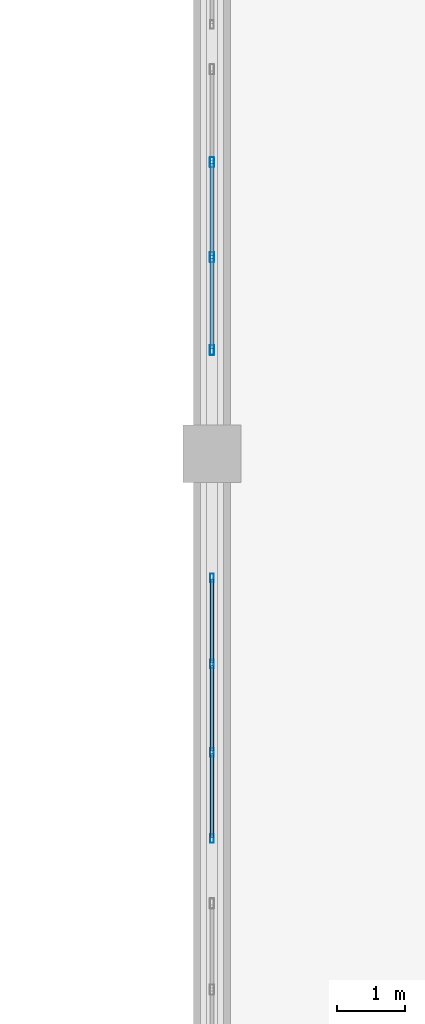
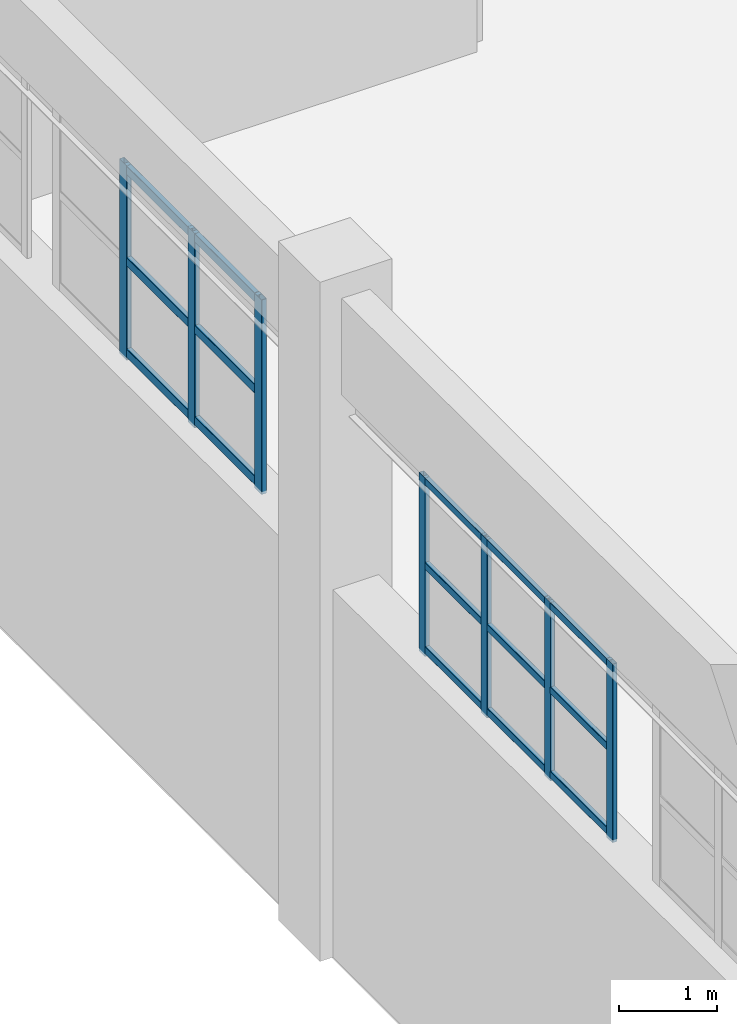
# One storey, part 36 of 97: 22 members, 2 elements without a shape of their own.
"""IFC4 building model written with IfcOpenShell, lengths in metres."""

from ifc_helpers import new_model, si_unit, derived_unit, direction, frame, origin, origin_2d, place, context, subcontext, project, spatial, hollow_rectangle, extrude, material, layer, layer_set, material_profile, profile_set, type_object, element, aggregate, save


model = new_model("IFC4")

# Units and contexts
model_context = context("Model", 3, precision=1e-05, world=origin(), true_north=direction((0.0, 1.0)))
body_context = subcontext(model_context, "Body", "Model", "MODEL_VIEW")
ifc_project = project(units=[si_unit("LENGTHUNIT", "METRE"), si_unit("AREAUNIT", "SQUARE_METRE"), si_unit("VOLUMEUNIT", "CUBIC_METRE"), si_unit("PLANEANGLEUNIT", "RADIAN"), si_unit("MASSUNIT", "GRAM", prefix="KILO"), derived_unit("THERMALTRANSMITTANCEUNIT", [(si_unit("POWERUNIT", "WATT"), 1), (si_unit("LENGTHUNIT", "METRE"), -2), (si_unit("THERMODYNAMICTEMPERATUREUNIT", "KELVIN"), -1)])], contexts=[model_context])

# Site, building, storey
site_placement = place(None, origin())
site = spatial("IfcSite", under=ifc_project, at=site_placement, CompositionType="ELEMENT")
building_placement = place(site_placement, origin())
building = spatial("IfcBuilding", under=site, at=building_placement, Name="Almenara Railside Exhibition Hall", CompositionType="ELEMENT")
storey_placement = place(building_placement, frame((0.0, 0.0, 10.800048828125)))
storey = spatial("IfcBuildingStorey", under=building, at=storey_placement, Name="L02", CompositionType="ELEMENT", Elevation=10.800048828125)

# Curtain wall, members
ifc_material_1 = material(Name="Bronze-anodised aluminium and low-E double glazing", Category="aluminium")
ifc_layer_1 = layer(ifc_material_1, 0.179931640625, Name="Bronze-anodised aluminium and low-E double glazing")
ifc_layer_set_1 = layer_set([ifc_layer_1], Name="Bronze-anodised aluminium and low-E double glazing")
curtain_wall_type_1 = type_object("IfcCurtainWallType", Name="West Hall Clerestory Curtain Wall 3900x2200", PredefinedType="NOTDEFINED", material=ifc_layer_set_1)
curtain_wall_1_placement = place(storey_placement, origin())
curtain_wall_1 = element("IfcCurtainWall", 1, at=curtain_wall_1_placement, inside=storey, type_object=curtain_wall_type_1, Name="Curtain wall CW-CL2-006", PredefinedType="NOTDEFINED")
ifc_material_2 = material(Name="Bronze-anodised aluminium", Category="aluminium")
ifc_material_profile_1 = material_profile(ifc_material_2, hollow_rectangle(XDim=0.054931640625, YDim=0.125, WallThickness=0.0029296875, InnerFilletRadius=0.0029296875, OuterFilletRadius=0.006103515625, at=origin_2d()), Name="ALU-MUL 55x125x3")
ifc_profile_set_1 = profile_set([ifc_material_profile_1], Name="Bronze-anodised aluminium")
member_type_1 = type_object("IfcMemberType", Name="Curtain Wall Mullion 55x125x3", PredefinedType="MULLION", material=ifc_profile_set_1)
member_1_placement = place(storey_placement, frame((12.0, 66.327392578125, 4.56494140625), z_axis=(0.0, 0.0, 1.0), x_axis=(-1.0, 0.0, 0.0)))
member_1 = element("IfcMember", 2, at=member_1_placement, type_object=member_type_1, Name="CW-CL2-006 mullion 1", PredefinedType="MULLION", context=body_context, shape_type="SweptSolid", body=[
    extrude(hollow_rectangle(XDim=0.054931640625, YDim=0.125, WallThickness=0.0029296875, InnerFilletRadius=0.0029296875, OuterFilletRadius=0.006103515625, at=origin_2d()), origin(), (0.0, 0.0, 1.0), 2.235107421875),
])
member_2_placement = place(storey_placement, frame((12.0, 67.60009765625, 4.56494140625), z_axis=(0.0, 0.0, 1.0), x_axis=(-1.0, 0.0, 0.0)))
member_2 = element("IfcMember", 3, at=member_2_placement, type_object=member_type_1, Name="CW-CL2-006 mullion 2", PredefinedType="MULLION", context=body_context, shape_type="SweptSolid", body=[
    extrude(hollow_rectangle(XDim=0.054931640625, YDim=0.125, WallThickness=0.0029296875, InnerFilletRadius=0.0029296875, OuterFilletRadius=0.006103515625, at=origin_2d()), origin(), (0.0, 0.0, 1.0), 2.235107421875),
])
member_3_placement = place(storey_placement, frame((12.0, 68.89990234375, 4.56494140625), z_axis=(0.0, 0.0, 1.0), x_axis=(-1.0, 0.0, 0.0)))
member_3 = element("IfcMember", 4, at=member_3_placement, type_object=member_type_1, Name="CW-CL2-006 mullion 3", PredefinedType="MULLION", context=body_context, shape_type="SweptSolid", body=[
    extrude(hollow_rectangle(XDim=0.054931640625, YDim=0.125, WallThickness=0.0029296875, InnerFilletRadius=0.0029296875, OuterFilletRadius=0.006103515625, at=origin_2d()), origin(), (0.0, 0.0, 1.0), 2.235107421875),
])
member_4_placement = place(storey_placement, frame((12.0, 70.172607421875, 4.56494140625), z_axis=(0.0, 0.0, 1.0), x_axis=(-1.0, 0.0, 0.0)))
member_4 = element("IfcMember", 5, at=member_4_placement, type_object=member_type_1, Name="CW-CL2-006 mullion 4", PredefinedType="MULLION", context=body_context, shape_type="SweptSolid", body=[
    extrude(hollow_rectangle(XDim=0.054931640625, YDim=0.125, WallThickness=0.0029296875, InnerFilletRadius=0.0029296875, OuterFilletRadius=0.006103515625, at=origin_2d()), origin(), (0.0, 0.0, 1.0), 2.235107421875),
])

ifc_layer_2 = layer(ifc_material_1, 0.179931640625, Name="Bronze-anodised aluminium and low-E double glazing")
ifc_layer_set_2 = layer_set([ifc_layer_2], Name="Bronze-anodised aluminium and low-E double glazing")
curtain_wall_type_2 = type_object("IfcCurtainWallType", Name="West Hall Clerestory Curtain Wall 4200x2400", PredefinedType="NOTDEFINED", material=ifc_layer_set_2)
curtain_wall_2_placement = place(storey_placement, origin())
curtain_wall_2 = element("IfcCurtainWall", 6, at=curtain_wall_2_placement, inside=storey, type_object=curtain_wall_type_2, Name="Curtain wall CW-CL1-009", PredefinedType="NOTDEFINED")
ifc_material_profile_2 = material_profile(ifc_material_2, hollow_rectangle(XDim=0.06005859375, YDim=0.14990234375, WallThickness=0.00341796875, InnerFilletRadius=0.00341796875, OuterFilletRadius=0.007080078125, at=origin_2d()), Name="ALU-MUL 60x150x3.5")
ifc_profile_set_2 = profile_set([ifc_material_profile_2], Name="Bronze-anodised aluminium")
member_type_2 = type_object("IfcMemberType", Name="Curtain Wall Mullion 60x150x3.5", PredefinedType="MULLION", material=ifc_profile_set_2)
member_5_placement = place(storey_placement, frame((12.0, 73.530029296875, 4.56494140625), z_axis=(0.0, 0.0, 1.0), x_axis=(-1.0, 0.0, 0.0)))
member_5 = element("IfcMember", 7, at=member_5_placement, type_object=member_type_2, Name="CW-CL1-009 mullion 1", PredefinedType="MULLION", context=body_context, shape_type="SweptSolid", body=[
    extrude(hollow_rectangle(XDim=0.06005859375, YDim=0.14990234375, WallThickness=0.00341796875, InnerFilletRadius=0.00341796875, OuterFilletRadius=0.007080078125, at=origin_2d()), origin(), (0.0, 0.0, 1.0), 2.43505859375),
])
member_6_placement = place(storey_placement, frame((12.0, 74.89990234375, 4.56494140625), z_axis=(0.0, 0.0, 1.0), x_axis=(-1.0, 0.0, 0.0)))
member_6 = element("IfcMember", 8, at=member_6_placement, type_object=member_type_2, Name="CW-CL1-009 mullion 2", PredefinedType="MULLION", context=body_context, shape_type="SweptSolid", body=[
    extrude(hollow_rectangle(XDim=0.06005859375, YDim=0.14990234375, WallThickness=0.00341796875, InnerFilletRadius=0.00341796875, OuterFilletRadius=0.007080078125, at=origin_2d()), origin(), (0.0, 0.0, 1.0), 2.43505859375),
])
member_7_placement = place(storey_placement, frame((12.0, 76.300048828125, 4.56494140625), z_axis=(0.0, 0.0, 1.0), x_axis=(-1.0, 0.0, 0.0)))
member_7 = element("IfcMember", 9, at=member_7_placement, type_object=member_type_2, Name="CW-CL1-009 mullion 3", PredefinedType="MULLION", context=body_context, shape_type="SweptSolid", body=[
    extrude(hollow_rectangle(XDim=0.06005859375, YDim=0.14990234375, WallThickness=0.00341796875, InnerFilletRadius=0.00341796875, OuterFilletRadius=0.007080078125, at=origin_2d()), origin(), (0.0, 0.0, 1.0), 2.43505859375),
])

# Member
ifc_material_profile_3 = material_profile(ifc_material_2, hollow_rectangle(XDim=0.054931640625, YDim=0.090087890625, WallThickness=0.0029296875, InnerFilletRadius=0.0029296875, OuterFilletRadius=0.006103515625, at=origin_2d()), Name="ALU-TRN 55x90x3")
ifc_profile_set_3 = profile_set([ifc_material_profile_3], Name="Bronze-anodised aluminium")
member_type_3 = type_object("IfcMemberType", Name="Curtain Wall Transom 55x90x3", PredefinedType="USERDEFINED", material=ifc_profile_set_3)
member_8_placement = place(storey_placement, frame((12.0, 66.346923828125, 4.64501953125), z_axis=(0.0, 1.0, 0.0), x_axis=(-1.0, 0.0, 0.0)))
member_8 = element("IfcMember", 10, at=member_8_placement, type_object=member_type_3, Name="CW-CL2-006 transom 1.1", ObjectType="TRANSOM", PredefinedType="USERDEFINED", context=body_context, shape_type="SweptSolid", body=[
    extrude(hollow_rectangle(XDim=0.054931640625, YDim=0.090087890625, WallThickness=0.0029296875, InnerFilletRadius=0.0029296875, OuterFilletRadius=0.006103515625, at=origin_2d()), origin(), (0.0, 0.0, 1.0), 1.233642578125),
])

member_9_placement = place(storey_placement, frame((12.0, 66.346923828125, 5.699951171875), z_axis=(0.0, 1.0, 0.0), x_axis=(-1.0, 0.0, 0.0)))
member_9 = element("IfcMember", 11, at=member_9_placement, type_object=member_type_3, Name="CW-CL2-006 transom 1.2", ObjectType="TRANSOM", PredefinedType="USERDEFINED", context=body_context, shape_type="SweptSolid", body=[
    extrude(hollow_rectangle(XDim=0.054931640625, YDim=0.090087890625, WallThickness=0.0029296875, InnerFilletRadius=0.0029296875, OuterFilletRadius=0.006103515625, at=origin_2d()), origin(), (0.0, 0.0, 1.0), 1.233642578125),
])

member_10_placement = place(storey_placement, frame((12.0, 66.346923828125, 6.7548828125), z_axis=(0.0, 1.0, 0.0), x_axis=(-1.0, 0.0, 0.0)))
member_10 = element("IfcMember", 12, at=member_10_placement, type_object=member_type_3, Name="CW-CL2-006 transom 1.3", ObjectType="TRANSOM", PredefinedType="USERDEFINED", context=body_context, shape_type="SweptSolid", body=[
    extrude(hollow_rectangle(XDim=0.054931640625, YDim=0.090087890625, WallThickness=0.0029296875, InnerFilletRadius=0.0029296875, OuterFilletRadius=0.006103515625, at=origin_2d()), origin(), (0.0, 0.0, 1.0), 1.233642578125),
])

member_11_placement = place(storey_placement, frame((12.0, 67.619384765625, 4.64501953125), z_axis=(0.0, 1.0, 0.0), x_axis=(-1.0, 0.0, 0.0)))
member_11 = element("IfcMember", 13, at=member_11_placement, type_object=member_type_3, Name="CW-CL2-006 transom 2.1", ObjectType="TRANSOM", PredefinedType="USERDEFINED", context=body_context, shape_type="SweptSolid", body=[
    extrude(hollow_rectangle(XDim=0.054931640625, YDim=0.090087890625, WallThickness=0.0029296875, InnerFilletRadius=0.0029296875, OuterFilletRadius=0.006103515625, at=origin_2d()), origin(), (0.0, 0.0, 1.0), 1.26123046875),
])

member_12_placement = place(storey_placement, frame((12.0, 67.619384765625, 5.699951171875), z_axis=(0.0, 1.0, 0.0), x_axis=(-1.0, 0.0, 0.0)))
member_12 = element("IfcMember", 14, at=member_12_placement, type_object=member_type_3, Name="CW-CL2-006 transom 2.2", ObjectType="TRANSOM", PredefinedType="USERDEFINED", context=body_context, shape_type="SweptSolid", body=[
    extrude(hollow_rectangle(XDim=0.054931640625, YDim=0.090087890625, WallThickness=0.0029296875, InnerFilletRadius=0.0029296875, OuterFilletRadius=0.006103515625, at=origin_2d()), origin(), (0.0, 0.0, 1.0), 1.26123046875),
])

member_13_placement = place(storey_placement, frame((12.0, 67.619384765625, 6.7548828125), z_axis=(0.0, 1.0, 0.0), x_axis=(-1.0, 0.0, 0.0)))
member_13 = element("IfcMember", 15, at=member_13_placement, type_object=member_type_3, Name="CW-CL2-006 transom 2.3", ObjectType="TRANSOM", PredefinedType="USERDEFINED", context=body_context, shape_type="SweptSolid", body=[
    extrude(hollow_rectangle(XDim=0.054931640625, YDim=0.090087890625, WallThickness=0.0029296875, InnerFilletRadius=0.0029296875, OuterFilletRadius=0.006103515625, at=origin_2d()), origin(), (0.0, 0.0, 1.0), 1.26123046875),
])

member_14_placement = place(storey_placement, frame((12.0, 68.91943359375, 4.64501953125), z_axis=(0.0, 1.0, 0.0), x_axis=(-1.0, 0.0, 0.0)))
member_14 = element("IfcMember", 16, at=member_14_placement, type_object=member_type_3, Name="CW-CL2-006 transom 3.1", ObjectType="TRANSOM", PredefinedType="USERDEFINED", context=body_context, shape_type="SweptSolid", body=[
    extrude(hollow_rectangle(XDim=0.054931640625, YDim=0.090087890625, WallThickness=0.0029296875, InnerFilletRadius=0.0029296875, OuterFilletRadius=0.006103515625, at=origin_2d()), origin(), (0.0, 0.0, 1.0), 1.233642578125),
])

member_15_placement = place(storey_placement, frame((12.0, 68.91943359375, 5.699951171875), z_axis=(0.0, 1.0, 0.0), x_axis=(-1.0, 0.0, 0.0)))
member_15 = element("IfcMember", 17, at=member_15_placement, type_object=member_type_3, Name="CW-CL2-006 transom 3.2", ObjectType="TRANSOM", PredefinedType="USERDEFINED", context=body_context, shape_type="SweptSolid", body=[
    extrude(hollow_rectangle(XDim=0.054931640625, YDim=0.090087890625, WallThickness=0.0029296875, InnerFilletRadius=0.0029296875, OuterFilletRadius=0.006103515625, at=origin_2d()), origin(), (0.0, 0.0, 1.0), 1.233642578125),
])

member_16_placement = place(storey_placement, frame((12.0, 68.91943359375, 6.7548828125), z_axis=(0.0, 1.0, 0.0), x_axis=(-1.0, 0.0, 0.0)))
member_16 = element("IfcMember", 18, at=member_16_placement, type_object=member_type_3, Name="CW-CL2-006 transom 3.3", ObjectType="TRANSOM", PredefinedType="USERDEFINED", context=body_context, shape_type="SweptSolid", body=[
    extrude(hollow_rectangle(XDim=0.054931640625, YDim=0.090087890625, WallThickness=0.0029296875, InnerFilletRadius=0.0029296875, OuterFilletRadius=0.006103515625, at=origin_2d()), origin(), (0.0, 0.0, 1.0), 1.233642578125),
])

aggregate(curtain_wall_1, [member_1, member_2, member_3, member_4, member_8, member_9, member_10, member_11, member_12, member_13, member_14, member_15, member_16])

ifc_material_profile_4 = material_profile(ifc_material_2, hollow_rectangle(XDim=0.06005859375, YDim=0.110107421875, WallThickness=0.0029296875, InnerFilletRadius=0.0029296875, OuterFilletRadius=0.006103515625, at=origin_2d()), Name="ALU-TRN 60x110x3")
ifc_profile_set_4 = profile_set([ifc_material_profile_4], Name="Bronze-anodised aluminium")
member_type_4 = type_object("IfcMemberType", Name="Curtain Wall Transom 60x110x3", PredefinedType="USERDEFINED", material=ifc_profile_set_4)
member_17_placement = place(storey_placement, frame((12.0, 73.552001953125, 4.655029296875), z_axis=(0.0, 1.0, 0.0), x_axis=(-1.0, 0.0, 0.0)))
member_17 = element("IfcMember", 19, at=member_17_placement, type_object=member_type_4, Name="CW-CL1-009 transom 1.1", ObjectType="TRANSOM", PredefinedType="USERDEFINED", context=body_context, shape_type="SweptSolid", body=[
    extrude(hollow_rectangle(XDim=0.06005859375, YDim=0.110107421875, WallThickness=0.0029296875, InnerFilletRadius=0.0029296875, OuterFilletRadius=0.006103515625, at=origin_2d()), origin(), (0.0, 0.0, 1.0), 1.325927734375),
])

member_18_placement = place(storey_placement, frame((12.0, 73.552001953125, 5.800048828125), z_axis=(0.0, 1.0, 0.0), x_axis=(-1.0, 0.0, 0.0)))
member_18 = element("IfcMember", 20, at=member_18_placement, type_object=member_type_4, Name="CW-CL1-009 transom 1.2", ObjectType="TRANSOM", PredefinedType="USERDEFINED", context=body_context, shape_type="SweptSolid", body=[
    extrude(hollow_rectangle(XDim=0.06005859375, YDim=0.110107421875, WallThickness=0.0029296875, InnerFilletRadius=0.0029296875, OuterFilletRadius=0.006103515625, at=origin_2d()), origin(), (0.0, 0.0, 1.0), 1.325927734375),
])

member_19_placement = place(storey_placement, frame((12.0, 73.552001953125, 6.945068359375), z_axis=(0.0, 1.0, 0.0), x_axis=(-1.0, 0.0, 0.0)))
member_19 = element("IfcMember", 21, at=member_19_placement, type_object=member_type_4, Name="CW-CL1-009 transom 1.3", ObjectType="TRANSOM", PredefinedType="USERDEFINED", context=body_context, shape_type="SweptSolid", body=[
    extrude(hollow_rectangle(XDim=0.06005859375, YDim=0.110107421875, WallThickness=0.0029296875, InnerFilletRadius=0.0029296875, OuterFilletRadius=0.006103515625, at=origin_2d()), origin(), (0.0, 0.0, 1.0), 1.325927734375),
])

member_20_placement = place(storey_placement, frame((12.0, 74.922119140625, 4.655029296875), z_axis=(0.0, 1.0, 0.0), x_axis=(-1.0, 0.0, 0.0)))
member_20 = element("IfcMember", 22, at=member_20_placement, type_object=member_type_4, Name="CW-CL1-009 transom 2.1", ObjectType="TRANSOM", PredefinedType="USERDEFINED", context=body_context, shape_type="SweptSolid", body=[
    extrude(hollow_rectangle(XDim=0.06005859375, YDim=0.110107421875, WallThickness=0.0029296875, InnerFilletRadius=0.0029296875, OuterFilletRadius=0.006103515625, at=origin_2d()), origin(), (0.0, 0.0, 1.0), 1.35595703125),
])

member_21_placement = place(storey_placement, frame((12.0, 74.922119140625, 5.800048828125), z_axis=(0.0, 1.0, 0.0), x_axis=(-1.0, 0.0, 0.0)))
member_21 = element("IfcMember", 23, at=member_21_placement, type_object=member_type_4, Name="CW-CL1-009 transom 2.2", ObjectType="TRANSOM", PredefinedType="USERDEFINED", context=body_context, shape_type="SweptSolid", body=[
    extrude(hollow_rectangle(XDim=0.06005859375, YDim=0.110107421875, WallThickness=0.0029296875, InnerFilletRadius=0.0029296875, OuterFilletRadius=0.006103515625, at=origin_2d()), origin(), (0.0, 0.0, 1.0), 1.35595703125),
])

member_22_placement = place(storey_placement, frame((12.0, 74.922119140625, 6.945068359375), z_axis=(0.0, 1.0, 0.0), x_axis=(-1.0, 0.0, 0.0)))
member_22 = element("IfcMember", 24, at=member_22_placement, type_object=member_type_4, Name="CW-CL1-009 transom 2.3", ObjectType="TRANSOM", PredefinedType="USERDEFINED", context=body_context, shape_type="SweptSolid", body=[
    extrude(hollow_rectangle(XDim=0.06005859375, YDim=0.110107421875, WallThickness=0.0029296875, InnerFilletRadius=0.0029296875, OuterFilletRadius=0.006103515625, at=origin_2d()), origin(), (0.0, 0.0, 1.0), 1.35595703125),
])

aggregate(curtain_wall_2, [member_5, member_6, member_7, member_17, member_18, member_19, member_20, member_21, member_22])

save(model, "model.ifc")
